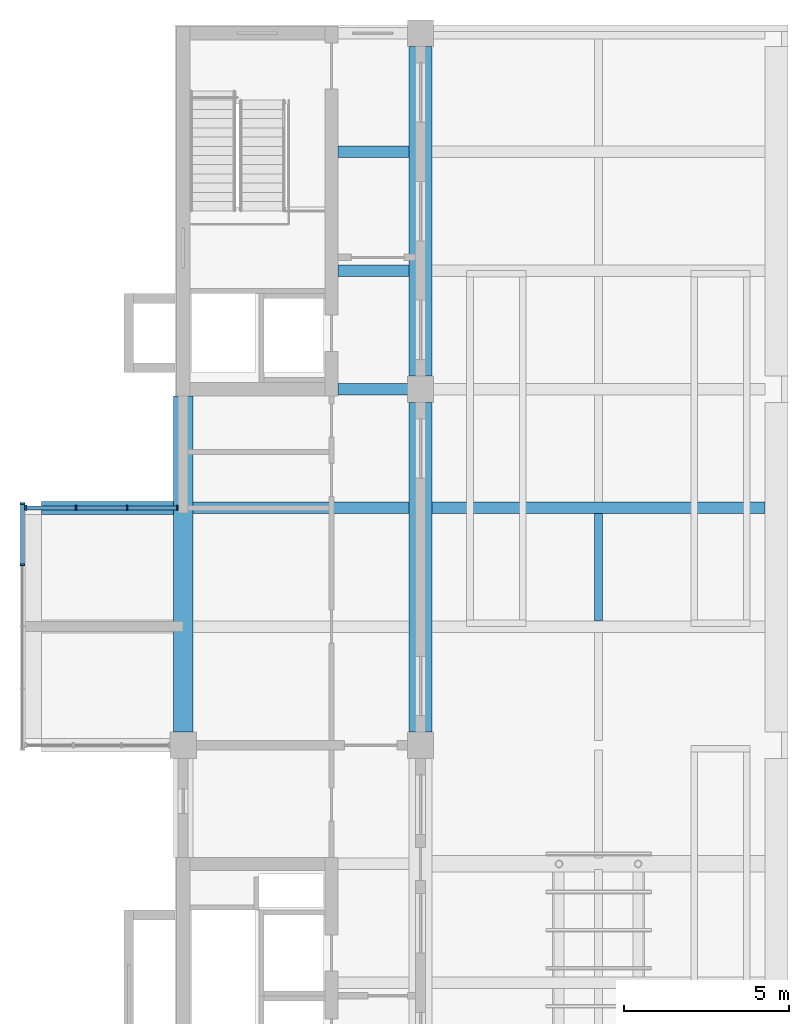
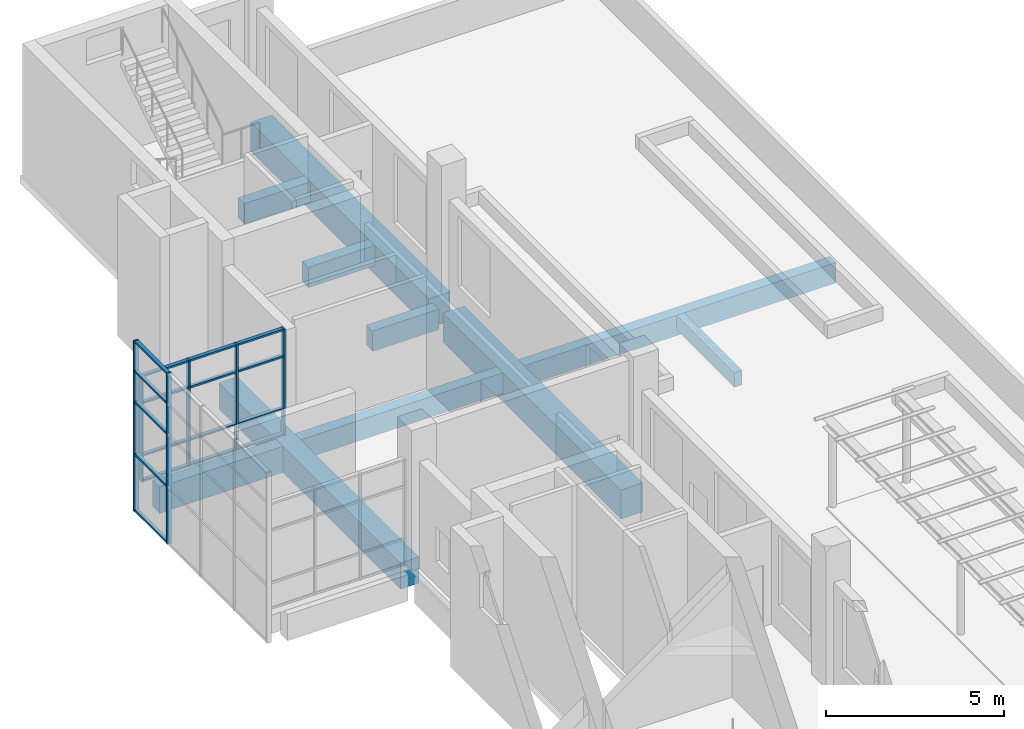
# One storey, part 9 of 16: 23 members, 10 beams, 2 elements without a shape of their own.
"""IFC4 building model written with IfcOpenShell, lengths in metres."""

from ifc_helpers import new_model, si_unit, direction, frame, origin, origin_2d, place, context, subcontext, project, spatial, rectangle, extrude, material, layer, layer_set, material_profile, profile_set, type_object, element, aggregate, save


model = new_model("IFC4")

# Units and contexts
model_context = context("Model", 3, precision=1e-05, world=origin(), true_north=direction((0.0, 1.0)))
body_context = subcontext(model_context, "Body", "Model", "MODEL_VIEW")
ifc_project = project(units=[si_unit("LENGTHUNIT", "METRE"), si_unit("AREAUNIT", "SQUARE_METRE"), si_unit("VOLUMEUNIT", "CUBIC_METRE"), si_unit("PLANEANGLEUNIT", "RADIAN"), si_unit("MASSUNIT", "GRAM", prefix="KILO")], contexts=[model_context])

# Site, building, storey
site_placement = place(None, origin())
site = spatial("IfcSite", under=ifc_project, at=site_placement, CompositionType="ELEMENT")
building_placement = place(site_placement, origin())
building = spatial("IfcBuilding", under=site, at=building_placement, Name="Basin Gate Institute", CompositionType="ELEMENT")
storey_placement = place(building_placement, frame((0.0, 0.0, 65.39990234375)))
storey = spatial("IfcBuildingStorey", under=building, at=storey_placement, Name="L13", CompositionType="ELEMENT", Elevation=65.39990234375)

# Beams
ifc_material_1 = material(Name="Concrete 40 MPa", Category="concrete")
ifc_material_profile_1 = material_profile(ifc_material_1, rectangle(XDim=0.35009765625, YDim=0.699951171875, at=origin_2d()), Name="Beam B1 350 x 700")
ifc_profile_set_1 = profile_set([ifc_material_profile_1], Name="Concrete 40 MPa")
beam_type_1 = type_object("IfcBeamType", Name="Beam B1 R120", PredefinedType="BEAM", material=ifc_profile_set_1)
beam_1_placement = place(storey_placement, frame((68.75, 85.5, -0.599853515625), z_axis=(1.0, 0.0, 0.0), x_axis=(0.0, 1.0, 0.0)))
element("IfcBeam", 1, at=beam_1_placement, inside=storey, type_object=beam_type_1, material=ifc_profile_set_1, Name="BEAM/L13/W/EW/15", PredefinedType="BEAM", context=body_context, shape_type="SweptSolid", body=[
    extrude(rectangle(XDim=0.35009765625, YDim=0.699951171875, at=origin_2d()), origin(), (0.0, 0.0, 1.0), 10.10009765625),
])
beam_2_placement = place(storey_placement, frame((61.5, 85.5, -0.599853515625), z_axis=(1.0, 0.0, 0.0), x_axis=(0.0, 1.0, 0.0)))
element("IfcBeam", 2, at=beam_2_placement, inside=storey, type_object=beam_type_1, material=ifc_profile_set_1, Name="BEAM/L13/W/OUT/15", PredefinedType="BEAM", context=body_context, shape_type="SweptSolid", body=[
    extrude(rectangle(XDim=0.35009765625, YDim=0.699951171875, at=origin_2d()), origin(), (0.0, 0.0, 1.0), 6.550048828125),
])
for number, where, z_axis, x_axis, name in (
    (3, (65.89990234375, 89.10009765625, -0.599853515625), (1.0, 0.0, 0.0), (0.0, 1.0, 0.0), "BEAM/L13/W/CORR/16"),
    (4, (65.89990234375, 92.699951171875, -0.599853515625), (1.0, 0.0, 0.0), (0.0, 1.0, 0.0), "BEAM/L13/W/CORR/17"),
    (5, (65.89990234375, 96.300048828125, -0.599853515625), (1.0, 0.0, 0.0), (0.0, 1.0, 0.0), "BEAM/L13/W/CORR/18"),
):
    element("IfcBeam", number, at=place(storey_placement, frame(where, z_axis=z_axis, x_axis=x_axis)), inside=storey, type_object=beam_type_1, material=ifc_profile_set_1, Name=name, PredefinedType="BEAM", context=body_context, shape_type="SweptSolid", body=[
        extrude(rectangle(XDim=0.35009765625, YDim=0.699951171875, at=origin_2d()), origin(), (0.0, 0.0, 1.0), 2.150146484375),
    ])
ifc_material_2 = material(Name="Concrete 50 MPa", Category="concrete")
ifc_material_profile_2 = material_profile(ifc_material_2, rectangle(XDim=0.39990234375, YDim=0.89990234375, at=origin_2d()), Name="Cantilever beam B3 400 x 900")
ifc_profile_set_2 = profile_set([ifc_material_profile_2], Name="Concrete 50 MPa")
beam_type_2 = type_object("IfcBeamType", Name="Cantilever beam B3 R120", PredefinedType="BEAM", material=ifc_profile_set_2)
beam_3_placement = place(storey_placement, frame((56.89990234375, 85.5, -0.699951171875), z_axis=(1.0, 0.0, 0.0), x_axis=(0.0, 1.0, 0.0)))
element("IfcBeam", 6, at=beam_3_placement, inside=storey, type_object=beam_type_2, material=ifc_profile_set_2, Name="BEAM/L13/W/CANT/15", PredefinedType="BEAM", context=body_context, shape_type="SweptSolid", body=[
    extrude(rectangle(XDim=0.39990234375, YDim=0.89990234375, at=origin_2d()), origin(), (0.0, 0.0, 1.0), 4.0),
])
ifc_material_3 = material(Name="Concrete 50 MPa", Category="concrete")
ifc_material_profile_3 = material_profile(ifc_material_3, rectangle(XDim=0.60009765625, YDim=0.89990234375, at=origin_2d()), Name="Edge beam EB1 600 x 900")
ifc_profile_set_3 = profile_set([ifc_material_profile_3], Name="Concrete 50 MPa")
beam_type_3 = type_object("IfcBeamType", Name="Edge beam EB1 R120", PredefinedType="SPANDREL", material=ifc_profile_set_3)
beam_4_placement = place(storey_placement, frame((61.199951171875, 78.699951171875, -0.699951171875), z_axis=(0.0, 1.0, 0.0), x_axis=(-1.0, 0.0, 0.0)))
element("IfcBeam", 7, at=beam_4_placement, inside=storey, type_object=beam_type_3, material=ifc_profile_set_3, Name="BEAM/L13/W/EDGE/4", PredefinedType="SPANDREL", context=body_context, shape_type="SweptSolid", body=[
    extrude(rectangle(XDim=0.60009765625, YDim=0.89990234375, at=origin_2d()), origin(), (0.0, 0.0, 1.0), 10.199951171875),
])
ifc_material_4 = material(Name="Concrete 50 MPa", Category="concrete")
ifc_material_profile_4 = material_profile(ifc_material_4, rectangle(XDim=0.699951171875, YDim=1.0, at=origin_2d()), Name="Girder G1 700 x 1000")
ifc_profile_set_4 = profile_set([ifc_material_profile_4], Name="Concrete 50 MPa")
beam_type_4 = type_object("IfcBeamType", Name="Girder G1 R120", PredefinedType="BEAM", material=ifc_profile_set_4)
for number, where, z_axis, x_axis, name in (
    (8, (68.39990234375, 78.699951171875, -0.75), (0.0, 1.0, 0.0), (-1.0, 0.0, 0.0), "GIR/L13/W5/5"),
    (9, (68.39990234375, 89.5, -0.75), (0.0, 1.0, 0.0), (-1.0, 0.0, 0.0), "GIR/L13/W5/6"),
):
    element("IfcBeam", number, at=place(storey_placement, frame(where, z_axis=z_axis, x_axis=x_axis)), inside=storey, type_object=beam_type_4, material=ifc_profile_set_4, Name=name, PredefinedType="BEAM", context=body_context, shape_type="SweptSolid", body=[
        extrude(rectangle(XDim=0.699951171875, YDim=1.0, at=origin_2d()), origin(), (0.0, 0.0, 1.0), 10.0),
    ])

# Curtain wall, members
ifc_material_5 = material(Name="Aluminium-framed glazing", Category="aluminium")
ifc_layer = layer(ifc_material_5, 0.14990234375)
ifc_layer_set = layer_set([ifc_layer], Name="Capsule front curtain wall CW1")
curtain_wall_type = type_object("IfcCurtainWallType", Name="Capsule front curtain wall CW1", PredefinedType="NOTDEFINED", material=ifc_layer_set)
curtain_wall_1_placement = place(storey_placement, origin())
curtain_wall_1 = element("IfcCurtainWall", 10, at=curtain_wall_1_placement, inside=storey, type_object=curtain_wall_type, material=ifc_layer_set, Name="Capsule front curtain wall W wing capsule end L13 line 15", PredefinedType="NOTDEFINED")
ifc_material_6 = material(Name="Aluminium", Category="aluminium")
ifc_material_profile_5 = material_profile(ifc_material_6, rectangle(XDim=0.14990234375, YDim=0.050048828125, at=origin_2d()), Name="Mullion MU1 150 x 50")
ifc_profile_set_5 = profile_set([ifc_material_profile_5], Name="Aluminium")
member_type_1 = type_object("IfcMemberType", Name="Mullion MU1", PredefinedType="MULLION", material=ifc_profile_set_5)
member_1_placement = place(storey_placement, frame((56.425048828125, 85.5, 0.0), z_axis=(0.0, 0.0, 1.0), x_axis=(0.0, 1.0, 0.0)))
member_1 = element("IfcMember", 11, at=member_1_placement, type_object=member_type_1, material=ifc_profile_set_5, Name="CW1 mullion 1", PredefinedType="MULLION", context=body_context, shape_type="SweptSolid", body=[
    extrude(rectangle(XDim=0.14990234375, YDim=0.050048828125, at=origin_2d()), origin(), (0.0, 0.0, 1.0), 3.650146484375),
])
member_2_placement = place(storey_placement, frame((57.949951171875, 85.5, 0.0), z_axis=(0.0, 0.0, 1.0), x_axis=(0.0, 1.0, 0.0)))
member_2 = element("IfcMember", 12, at=member_2_placement, type_object=member_type_1, material=ifc_profile_set_5, Name="CW1 mullion 2", PredefinedType="MULLION", context=body_context, shape_type="SweptSolid", body=[
    extrude(rectangle(XDim=0.14990234375, YDim=0.050048828125, at=origin_2d()), origin(), (0.0, 0.0, 1.0), 3.650146484375),
])
member_3_placement = place(storey_placement, frame((59.5, 85.5, 0.0), z_axis=(0.0, 0.0, 1.0), x_axis=(0.0, 1.0, 0.0)))
member_3 = element("IfcMember", 13, at=member_3_placement, type_object=member_type_1, material=ifc_profile_set_5, Name="CW1 mullion 3", PredefinedType="MULLION", context=body_context, shape_type="SweptSolid", body=[
    extrude(rectangle(XDim=0.14990234375, YDim=0.050048828125, at=origin_2d()), origin(), (0.0, 0.0, 1.0), 3.650146484375),
])
member_4_placement = place(storey_placement, frame((61.02490234375, 85.5, 0.0), z_axis=(0.0, 0.0, 1.0), x_axis=(0.0, 1.0, 0.0)))
member_4 = element("IfcMember", 14, at=member_4_placement, type_object=member_type_1, material=ifc_profile_set_5, Name="CW1 mullion 4", PredefinedType="MULLION", context=body_context, shape_type="SweptSolid", body=[
    extrude(rectangle(XDim=0.14990234375, YDim=0.050048828125, at=origin_2d()), origin(), (0.0, 0.0, 1.0), 3.650146484375),
])

curtain_wall_2_placement = place(storey_placement, origin())
curtain_wall_2 = element("IfcCurtainWall", 15, at=curtain_wall_2_placement, inside=storey, type_object=curtain_wall_type, material=ifc_layer_set, Name="Capsule front curtain wall W wing capsule 2 L13 front 2", PredefinedType="NOTDEFINED")
member_5_placement = place(storey_placement, frame((56.324951171875, 83.77490234375, -1.0498046875), z_axis=(0.0, 0.0, 1.0), x_axis=(-1.0, 0.0, 0.0)))
member_5 = element("IfcMember", 16, at=member_5_placement, type_object=member_type_1, material=ifc_profile_set_5, Name="CW1 mullion 4", PredefinedType="MULLION", context=body_context, shape_type="SweptSolid", body=[
    extrude(rectangle(XDim=0.14990234375, YDim=0.050048828125, at=origin_2d()), origin(), (0.0, 0.0, 1.0), 5.849853515625),
])
member_6_placement = place(storey_placement, frame((56.324951171875, 85.625, -1.0498046875), z_axis=(0.0, 0.0, 1.0), x_axis=(-1.0, 0.0, 0.0)))
member_6 = element("IfcMember", 17, at=member_6_placement, type_object=member_type_1, material=ifc_profile_set_5, Name="CW1 mullion 5", PredefinedType="MULLION", context=body_context, shape_type="SweptSolid", body=[
    extrude(rectangle(XDim=0.14990234375, YDim=0.050048828125, at=origin_2d()), origin(), (0.0, 0.0, 1.0), 5.849853515625),
])

# Beam
ifc_material_7 = material(Name="Concrete 40 MPa", Category="concrete")
ifc_material_profile_6 = material_profile(ifc_material_7, rectangle(XDim=0.25, YDim=0.5, at=origin_2d()), Name="Rib R1 250 x 500")
ifc_profile_set_6 = profile_set([ifc_material_profile_6], Name="Concrete 40 MPa")
beam_type_5 = type_object("IfcBeamType", Name="Rib R1 R120", PredefinedType="JOIST", material=ifc_profile_set_6)
beam_5_placement = place(storey_placement, frame((73.800048828125, 82.074951171875, -0.5), z_axis=(0.0, 1.0, 0.0), x_axis=(-1.0, 0.0, 0.0)))
element("IfcBeam", 18, at=beam_5_placement, inside=storey, type_object=beam_type_5, material=ifc_profile_set_6, Name="BEAM/L13/W/RIB/14", PredefinedType="JOIST", context=body_context, shape_type="SweptSolid", body=[
    extrude(rectangle(XDim=0.25, YDim=0.5, at=origin_2d()), origin(), (0.0, 0.0, 1.0), 3.25),
])

# Member
ifc_material_8 = material(Name="Aluminium", Category="aluminium")
ifc_material_profile_7 = material_profile(ifc_material_8, rectangle(XDim=0.1201171875, YDim=0.06005859375, at=origin_2d()), Name="Transom TR1 120 x 60")
ifc_profile_set_7 = profile_set([ifc_material_profile_7], Name="Aluminium")
member_type_2 = type_object("IfcMemberType", Name="Transom TR1", PredefinedType="USERDEFINED", material=ifc_profile_set_7)
member_7_placement = place(storey_placement, frame((56.449951171875, 85.5, 0.030029296875), z_axis=(1.0, 0.0, 0.0), x_axis=(0.0, 1.0, 0.0)))
member_7 = element("IfcMember", 19, at=member_7_placement, type_object=member_type_2, material=ifc_profile_set_7, Name="CW1 transom 1.1", ObjectType="TRANSOM", PredefinedType="USERDEFINED", context=body_context, shape_type="SweptSolid", body=[
    extrude(rectangle(XDim=0.1201171875, YDim=0.06005859375, at=origin_2d()), origin(), (0.0, 0.0, 1.0), 1.47509765625),
])

member_8_placement = place(storey_placement, frame((56.449951171875, 85.5, 0.900146484375), z_axis=(1.0, 0.0, 0.0), x_axis=(0.0, 1.0, 0.0)))
member_8 = element("IfcMember", 20, at=member_8_placement, type_object=member_type_2, material=ifc_profile_set_7, Name="CW1 transom 1.2", ObjectType="TRANSOM", PredefinedType="USERDEFINED", context=body_context, shape_type="SweptSolid", body=[
    extrude(rectangle(XDim=0.1201171875, YDim=0.06005859375, at=origin_2d()), origin(), (0.0, 0.0, 1.0), 1.47509765625),
])

member_9_placement = place(storey_placement, frame((56.449951171875, 85.5, 2.7001953125), z_axis=(1.0, 0.0, 0.0), x_axis=(0.0, 1.0, 0.0)))
member_9 = element("IfcMember", 21, at=member_9_placement, type_object=member_type_2, material=ifc_profile_set_7, Name="CW1 transom 1.3", ObjectType="TRANSOM", PredefinedType="USERDEFINED", context=body_context, shape_type="SweptSolid", body=[
    extrude(rectangle(XDim=0.1201171875, YDim=0.06005859375, at=origin_2d()), origin(), (0.0, 0.0, 1.0), 1.47509765625),
])

member_10_placement = place(storey_placement, frame((56.449951171875, 85.5, 3.6201171875), z_axis=(1.0, 0.0, 0.0), x_axis=(0.0, 1.0, 0.0)))
member_10 = element("IfcMember", 22, at=member_10_placement, type_object=member_type_2, material=ifc_profile_set_7, Name="CW1 transom 1.4", ObjectType="TRANSOM", PredefinedType="USERDEFINED", context=body_context, shape_type="SweptSolid", body=[
    extrude(rectangle(XDim=0.1201171875, YDim=0.06005859375, at=origin_2d()), origin(), (0.0, 0.0, 1.0), 1.47509765625),
])

member_11_placement = place(storey_placement, frame((57.97509765625, 85.5, 0.030029296875), z_axis=(1.0, 0.0, 0.0), x_axis=(0.0, 1.0, 0.0)))
member_11 = element("IfcMember", 23, at=member_11_placement, type_object=member_type_2, material=ifc_profile_set_7, Name="CW1 transom 2.1", ObjectType="TRANSOM", PredefinedType="USERDEFINED", context=body_context, shape_type="SweptSolid", body=[
    extrude(rectangle(XDim=0.1201171875, YDim=0.06005859375, at=origin_2d()), origin(), (0.0, 0.0, 1.0), 1.5),
])

member_12_placement = place(storey_placement, frame((57.97509765625, 85.5, 0.900146484375), z_axis=(1.0, 0.0, 0.0), x_axis=(0.0, 1.0, 0.0)))
member_12 = element("IfcMember", 24, at=member_12_placement, type_object=member_type_2, material=ifc_profile_set_7, Name="CW1 transom 2.2", ObjectType="TRANSOM", PredefinedType="USERDEFINED", context=body_context, shape_type="SweptSolid", body=[
    extrude(rectangle(XDim=0.1201171875, YDim=0.06005859375, at=origin_2d()), origin(), (0.0, 0.0, 1.0), 1.5),
])

member_13_placement = place(storey_placement, frame((57.97509765625, 85.5, 2.7001953125), z_axis=(1.0, 0.0, 0.0), x_axis=(0.0, 1.0, 0.0)))
member_13 = element("IfcMember", 25, at=member_13_placement, type_object=member_type_2, material=ifc_profile_set_7, Name="CW1 transom 2.3", ObjectType="TRANSOM", PredefinedType="USERDEFINED", context=body_context, shape_type="SweptSolid", body=[
    extrude(rectangle(XDim=0.1201171875, YDim=0.06005859375, at=origin_2d()), origin(), (0.0, 0.0, 1.0), 1.5),
])

member_14_placement = place(storey_placement, frame((57.97509765625, 85.5, 3.6201171875), z_axis=(1.0, 0.0, 0.0), x_axis=(0.0, 1.0, 0.0)))
member_14 = element("IfcMember", 26, at=member_14_placement, type_object=member_type_2, material=ifc_profile_set_7, Name="CW1 transom 2.4", ObjectType="TRANSOM", PredefinedType="USERDEFINED", context=body_context, shape_type="SweptSolid", body=[
    extrude(rectangle(XDim=0.1201171875, YDim=0.06005859375, at=origin_2d()), origin(), (0.0, 0.0, 1.0), 1.5),
])

member_15_placement = place(storey_placement, frame((59.52490234375, 85.5, 0.030029296875), z_axis=(1.0, 0.0, 0.0), x_axis=(0.0, 1.0, 0.0)))
member_15 = element("IfcMember", 27, at=member_15_placement, type_object=member_type_2, material=ifc_profile_set_7, Name="CW1 transom 3.1", ObjectType="TRANSOM", PredefinedType="USERDEFINED", context=body_context, shape_type="SweptSolid", body=[
    extrude(rectangle(XDim=0.1201171875, YDim=0.06005859375, at=origin_2d()), origin(), (0.0, 0.0, 1.0), 1.47509765625),
])

member_16_placement = place(storey_placement, frame((59.52490234375, 85.5, 0.900146484375), z_axis=(1.0, 0.0, 0.0), x_axis=(0.0, 1.0, 0.0)))
member_16 = element("IfcMember", 28, at=member_16_placement, type_object=member_type_2, material=ifc_profile_set_7, Name="CW1 transom 3.2", ObjectType="TRANSOM", PredefinedType="USERDEFINED", context=body_context, shape_type="SweptSolid", body=[
    extrude(rectangle(XDim=0.1201171875, YDim=0.06005859375, at=origin_2d()), origin(), (0.0, 0.0, 1.0), 1.47509765625),
])

member_17_placement = place(storey_placement, frame((59.52490234375, 85.5, 2.7001953125), z_axis=(1.0, 0.0, 0.0), x_axis=(0.0, 1.0, 0.0)))
member_17 = element("IfcMember", 29, at=member_17_placement, type_object=member_type_2, material=ifc_profile_set_7, Name="CW1 transom 3.3", ObjectType="TRANSOM", PredefinedType="USERDEFINED", context=body_context, shape_type="SweptSolid", body=[
    extrude(rectangle(XDim=0.1201171875, YDim=0.06005859375, at=origin_2d()), origin(), (0.0, 0.0, 1.0), 1.47509765625),
])

member_18_placement = place(storey_placement, frame((59.52490234375, 85.5, 3.6201171875), z_axis=(1.0, 0.0, 0.0), x_axis=(0.0, 1.0, 0.0)))
member_18 = element("IfcMember", 30, at=member_18_placement, type_object=member_type_2, material=ifc_profile_set_7, Name="CW1 transom 3.4", ObjectType="TRANSOM", PredefinedType="USERDEFINED", context=body_context, shape_type="SweptSolid", body=[
    extrude(rectangle(XDim=0.1201171875, YDim=0.06005859375, at=origin_2d()), origin(), (0.0, 0.0, 1.0), 1.47509765625),
])

aggregate(curtain_wall_1, [member_1, member_2, member_3, member_4, member_7, member_8, member_9, member_10, member_11, member_12, member_13, member_14, member_15, member_16, member_17, member_18])

member_19_placement = place(storey_placement, frame((56.324951171875, 83.800048828125, -1.02001953125), z_axis=(0.0, 1.0, 0.0), x_axis=(-1.0, 0.0, 0.0)))
member_19 = element("IfcMember", 31, at=member_19_placement, type_object=member_type_2, material=ifc_profile_set_7, Name="CW1 transom 4.1", ObjectType="TRANSOM", PredefinedType="USERDEFINED", context=body_context, shape_type="SweptSolid", body=[
    extrude(rectangle(XDim=0.1201171875, YDim=0.06005859375, at=origin_2d()), origin(), (0.0, 0.0, 1.0), 1.800048828125),
])

member_20_placement = place(storey_placement, frame((56.324951171875, 83.800048828125, 0.900146484375), z_axis=(0.0, 1.0, 0.0), x_axis=(-1.0, 0.0, 0.0)))
member_20 = element("IfcMember", 32, at=member_20_placement, type_object=member_type_2, material=ifc_profile_set_7, Name="CW1 transom 4.2", ObjectType="TRANSOM", PredefinedType="USERDEFINED", context=body_context, shape_type="SweptSolid", body=[
    extrude(rectangle(XDim=0.1201171875, YDim=0.06005859375, at=origin_2d()), origin(), (0.0, 0.0, 1.0), 1.800048828125),
])

member_21_placement = place(storey_placement, frame((56.324951171875, 83.800048828125, 2.7001953125), z_axis=(0.0, 1.0, 0.0), x_axis=(-1.0, 0.0, 0.0)))
member_21 = element("IfcMember", 33, at=member_21_placement, type_object=member_type_2, material=ifc_profile_set_7, Name="CW1 transom 4.3", ObjectType="TRANSOM", PredefinedType="USERDEFINED", context=body_context, shape_type="SweptSolid", body=[
    extrude(rectangle(XDim=0.1201171875, YDim=0.06005859375, at=origin_2d()), origin(), (0.0, 0.0, 1.0), 1.800048828125),
])

member_22_placement = place(storey_placement, frame((56.324951171875, 83.800048828125, 3.75), z_axis=(0.0, 1.0, 0.0), x_axis=(-1.0, 0.0, 0.0)))
member_22 = element("IfcMember", 34, at=member_22_placement, type_object=member_type_2, material=ifc_profile_set_7, Name="CW1 transom 4.4", ObjectType="TRANSOM", PredefinedType="USERDEFINED", context=body_context, shape_type="SweptSolid", body=[
    extrude(rectangle(XDim=0.1201171875, YDim=0.06005859375, at=origin_2d()), origin(), (0.0, 0.0, 1.0), 1.800048828125),
])

member_23_placement = place(storey_placement, frame((56.324951171875, 83.800048828125, 4.77001953125), z_axis=(0.0, 1.0, 0.0), x_axis=(-1.0, 0.0, 0.0)))
member_23 = element("IfcMember", 35, at=member_23_placement, type_object=member_type_2, material=ifc_profile_set_7, Name="CW1 transom 4.5", ObjectType="TRANSOM", PredefinedType="USERDEFINED", context=body_context, shape_type="SweptSolid", body=[
    extrude(rectangle(XDim=0.1201171875, YDim=0.06005859375, at=origin_2d()), origin(), (0.0, 0.0, 1.0), 1.800048828125),
])

aggregate(curtain_wall_2, [member_5, member_6, member_19, member_20, member_21, member_22, member_23])

save(model, "model.ifc")
